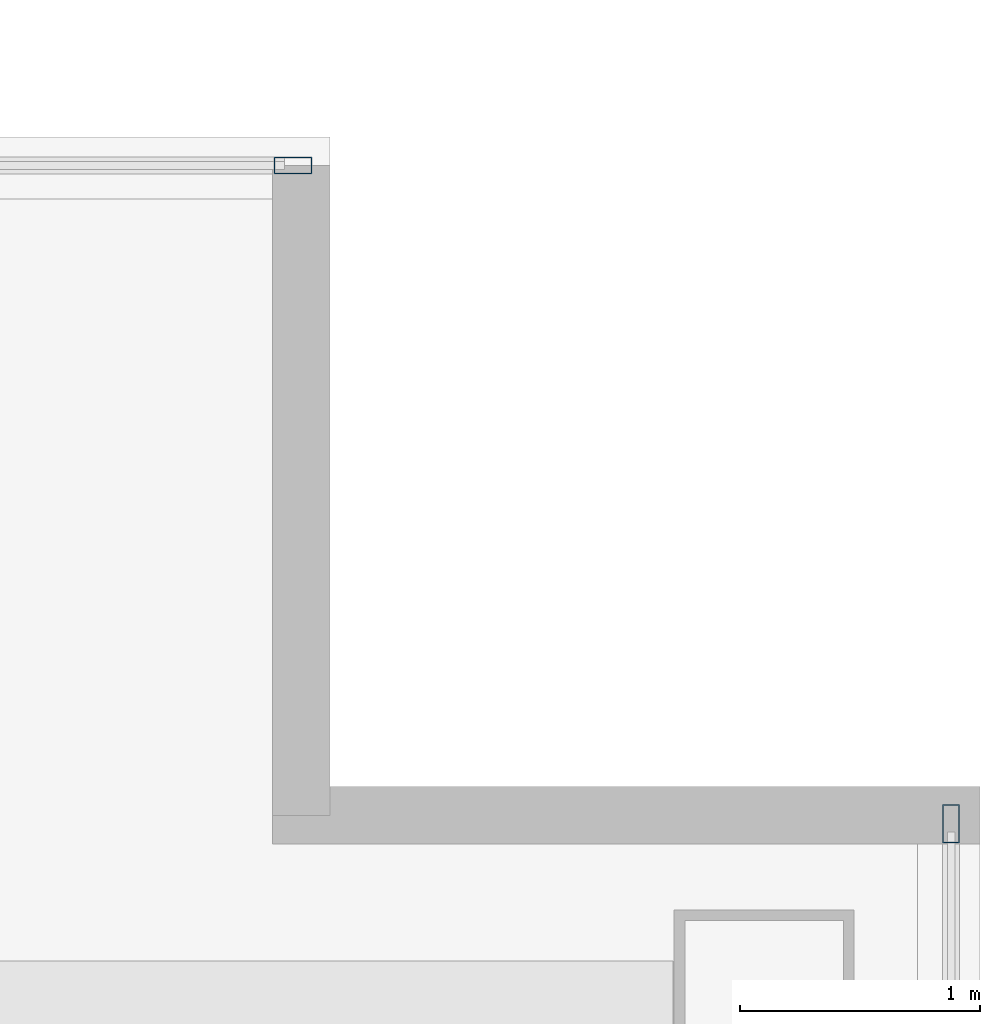
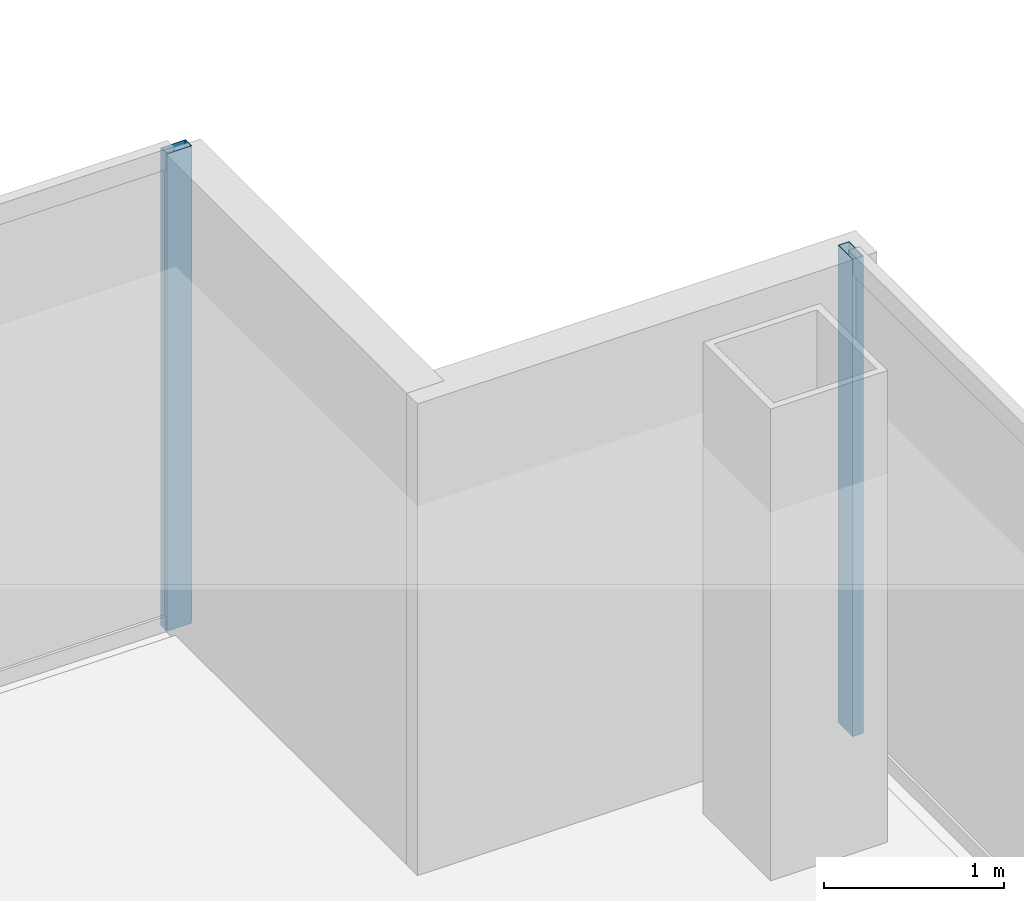
# One storey, part 16 of 23: 2 members, 2 elements without a shape of their own.
"""IFC4 building model written with IfcOpenShell, lengths in metres."""

from ifc_helpers import new_model, si_unit, direction, frame, origin, origin_2d, place, context, subcontext, project, spatial, hollow_rectangle, extrude, material, material_profile, profile_set, type_object, element, aggregate, save


model = new_model("IFC4")

# Units and contexts
model_context = context("Model", 3, precision=1e-05, world=origin(), true_north=direction((0.0, 1.0)))
body_context = subcontext(model_context, "Body", "Model", "MODEL_VIEW")
ifc_project = project(units=[si_unit("LENGTHUNIT", "METRE"), si_unit("AREAUNIT", "SQUARE_METRE"), si_unit("VOLUMEUNIT", "CUBIC_METRE"), si_unit("PLANEANGLEUNIT", "RADIAN"), si_unit("MASSUNIT", "GRAM", prefix="KILO")], contexts=[model_context])

# Site, building, storey
site_placement = place(None, origin())
site = spatial("IfcSite", under=ifc_project, at=site_placement, CompositionType="ELEMENT")
building_placement = place(site_placement, origin())
building = spatial("IfcBuilding", under=site, at=building_placement, Name="Cobrela Telecom Tower", CompositionType="ELEMENT")
storey_placement = place(building_placement, frame((0.0, 0.0, 225.75)))
storey = spatial("IfcBuildingStorey", under=building, at=storey_placement, Name="L58", CompositionType="ELEMENT", Elevation=225.75)

# Curtain wall, member
ifc_material = material(Name="Anodized Bronze Aluminium 6063-T6", Category="aluminium")
curtain_wall_type = type_object("IfcCurtainWallType", Name="CW-SYS-OFF-LO", PredefinedType="USERDEFINED", material=ifc_material)
curtain_wall_1_placement = place(storey_placement, origin())
curtain_wall_1 = element("IfcCurtainWall", 1, at=curtain_wall_1_placement, inside=storey, type_object=curtain_wall_type, Name="L58 Unitised Bronze Curtain Wall 11", ObjectType="UNITISED CURTAIN WALL", PredefinedType="USERDEFINED")
ifc_material_profile = material_profile(ifc_material, hollow_rectangle(XDim=0.070068359375, YDim=0.159912109375, WallThickness=0.00390625, at=origin_2d()), Name="ALU 70x160x4")
ifc_profile_set = profile_set([ifc_material_profile], Name="Anodized Bronze Aluminium 6063-T6")
member_type = type_object("IfcMemberType", Name="CW-SYS-OFF-LO-MUL", PredefinedType="MULLION", material=ifc_profile_set)
member_1_placement = place(storey_placement, frame((41.135009765625, 25.080078125, 0.0), z_axis=(0.0, 0.0, 1.0), x_axis=(0.0, 1.0, 0.0)))
member_1 = element("IfcMember", 2, at=member_1_placement, type_object=member_type, Name="CW-OFF-LO mullion 3", PredefinedType="MULLION", context=body_context, shape_type="SweptSolid", body=[
    extrude(hollow_rectangle(XDim=0.070068359375, YDim=0.159912109375, WallThickness=0.00390625, at=origin_2d()), origin(), (0.0, 0.0, 1.0), 3.239990234375),
])
aggregate(curtain_wall_1, [member_1])

curtain_wall_2_placement = place(storey_placement, origin())
curtain_wall_2 = element("IfcCurtainWall", 3, at=curtain_wall_2_placement, inside=storey, type_object=curtain_wall_type, Name="L58 Unitised Bronze Curtain Wall 14", ObjectType="UNITISED CURTAIN WALL", PredefinedType="USERDEFINED")
member_2_placement = place(storey_placement, frame((43.8798828125, 22.3349609375, 0.0), z_axis=(0.0, 0.0, 1.0), x_axis=(1.0, 0.0, 0.0)))
member_2 = element("IfcMember", 4, at=member_2_placement, type_object=member_type, Name="CW-OFF-LO mullion 1", PredefinedType="MULLION", context=body_context, shape_type="SweptSolid", body=[
    extrude(hollow_rectangle(XDim=0.070068359375, YDim=0.159912109375, WallThickness=0.00390625, at=origin_2d()), origin(), (0.0, 0.0, 1.0), 3.239990234375),
])
aggregate(curtain_wall_2, [member_2])

save(model, "model.ifc")
